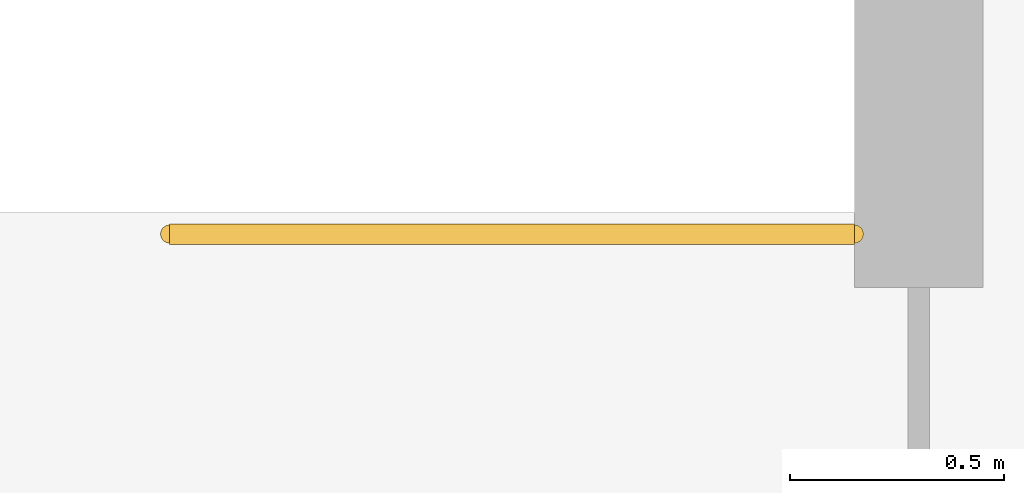
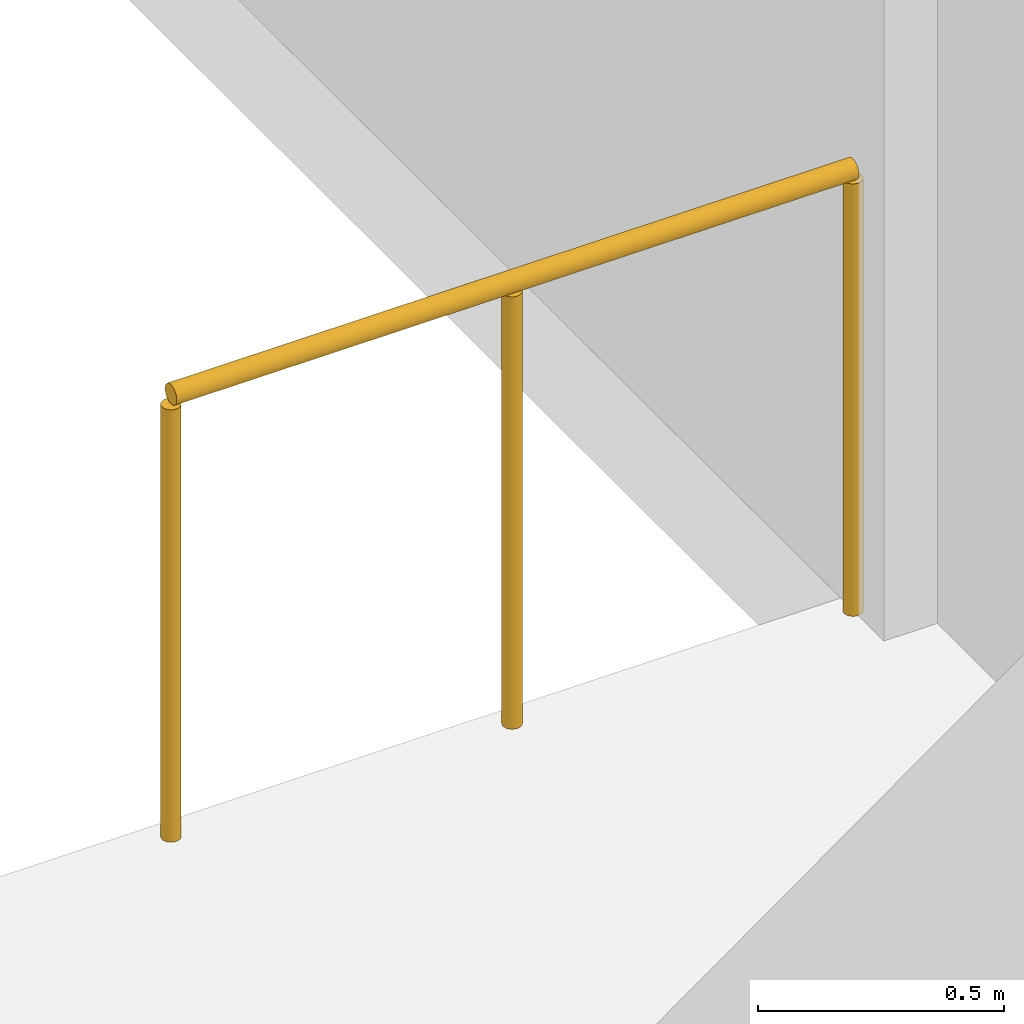
# One storey, part 60 of 73: 1 railing.
"""IFC4 building model written with IfcOpenShell, lengths in metres."""

from ifc_helpers import new_model, si_unit, derived_unit, direction, frame, origin, origin_2d, place, context, subcontext, project, spatial, circle, extrude, material, type_object, element, save


model = new_model("IFC4")

# Units and contexts
model_context = context("Model", 3, precision=1e-05, world=origin(), true_north=direction((0.0, 1.0)))
body_context = subcontext(model_context, "Body", "Model", "MODEL_VIEW")
ifc_project = project(units=[si_unit("LENGTHUNIT", "METRE"), si_unit("AREAUNIT", "SQUARE_METRE"), si_unit("VOLUMEUNIT", "CUBIC_METRE"), si_unit("PLANEANGLEUNIT", "RADIAN"), si_unit("MASSUNIT", "GRAM", prefix="KILO"), derived_unit("THERMALTRANSMITTANCEUNIT", [(si_unit("MASSUNIT", "GRAM", prefix="KILO"), 1), (si_unit("TIMEUNIT", "SECOND"), -3), (si_unit("THERMODYNAMICTEMPERATUREUNIT", "KELVIN"), -1)])], contexts=[model_context])

# Site, building, storey
site_placement = place(None, origin())
site = spatial("IfcSite", under=ifc_project, at=site_placement, CompositionType="ELEMENT")
building_placement = place(site_placement, origin())
building = spatial("IfcBuilding", under=site, at=building_placement, Name="Ochrekiln Boulevard Commons", CompositionType="ELEMENT")
storey_placement = place(building_placement, frame((0.0, 0.0, 4.89990234375)))
storey = spatial("IfcBuildingStorey", under=building, at=storey_placement, Name="L01", CompositionType="ELEMENT", Elevation=4.89990234375)

# Railing
ifc_material = material(Name="Brushed stainless steel 316 tubular railing", Category="steel")
railing_type = type_object("IfcRailingType", Name="RLG-STR-1120", PredefinedType="BALUSTRADE", material=ifc_material)
railing_placement = place(storey_placement, frame((61.199951171875, 37.89990234375, 0.0)))
element("IfcRailing", 1, at=railing_placement, inside=storey, type_object=railing_type, Name="L01 ST-H1 top well guard 1", PredefinedType="BALUSTRADE", context=body_context, shape_type="SweptSolid", body=[
    extrude(circle(Radius=0.02392578125, at=origin_2d()), frame((0.0, 0.0, 1.09619140625), z_axis=(-1.0, 0.0, 0.0), x_axis=(0.0, -1.0, 0.0)), (0.0, 0.0, 1.0), 1.599853515625),
    extrude(circle(Radius=0.02099609375, at=origin_2d()), origin(), (0.0, 0.0, 1.0), 1.072021484375),
    extrude(circle(Radius=0.02099609375, at=origin_2d()), frame((-0.7998046875, 0.0, 0.0)), (0.0, 0.0, 1.0), 1.072021484375),
    extrude(circle(Radius=0.02099609375, at=origin_2d()), frame((-1.599853515625, 0.0, 0.0)), (0.0, 0.0, 1.0), 1.072021484375),
])

save(model, "model.ifc")
